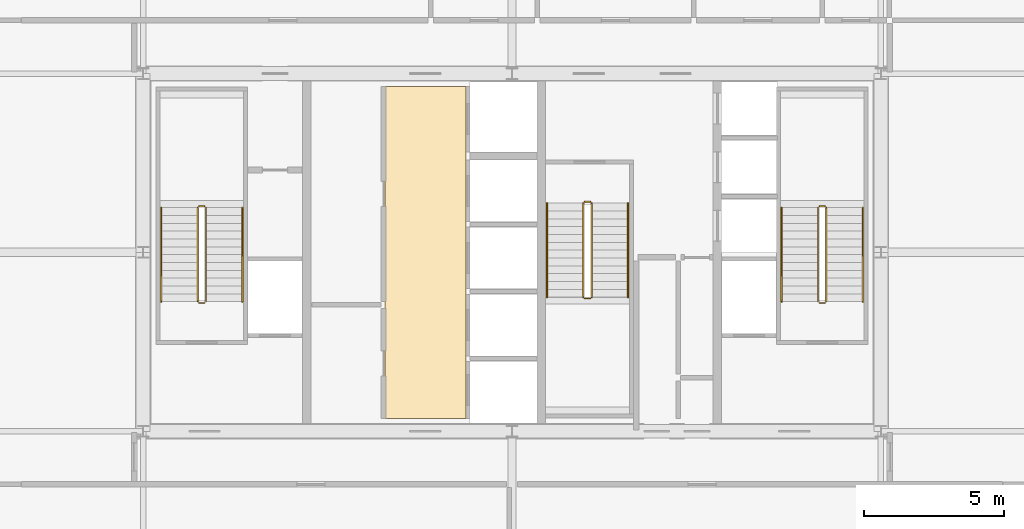
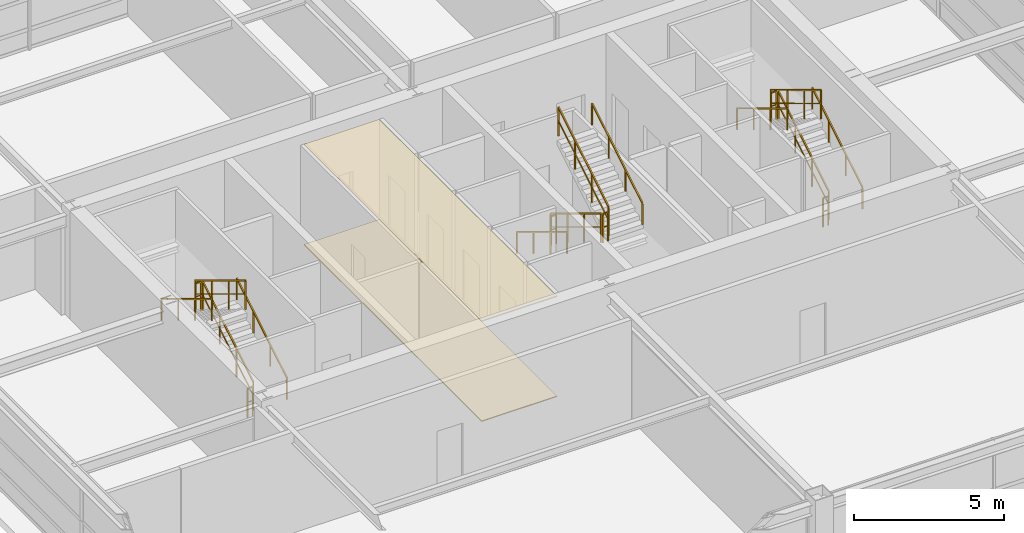
# One storey, part 26 of 26: 18 railings, 2 coverings.
"""IFC4 building model written with IfcOpenShell, lengths in metres."""

from ifc_helpers import new_model, si_unit, direction, frame, origin, origin_2d, place, context, subcontext, project, spatial, polyline, rectangle, outline, extrude, source, transform, mapped, material, layer, layer_set, type_object, element, save


model = new_model("IFC4")

# Units and contexts
model_context = context("Model", 3, precision=1e-05, world=origin(), true_north=direction((0.0, 1.0)))
body_context = subcontext(model_context, "Body", "Model", "MODEL_VIEW")
ifc_project = project(units=[si_unit("LENGTHUNIT", "METRE"), si_unit("AREAUNIT", "SQUARE_METRE"), si_unit("VOLUMEUNIT", "CUBIC_METRE"), si_unit("PLANEANGLEUNIT", "RADIAN"), si_unit("MASSUNIT", "GRAM", prefix="KILO"), si_unit("THERMODYNAMICTEMPERATUREUNIT", "KELVIN"), si_unit("POWERUNIT", "WATT")], contexts=[model_context])

# Site, building, storey
site_placement = place(None, origin())
site = spatial("IfcSite", under=ifc_project, at=site_placement, CompositionType="ELEMENT")
building_placement = place(site_placement, origin())
building = spatial("IfcBuilding", under=site, at=building_placement, Name="Yuzanri Waterfront Tower", CompositionType="ELEMENT")
storey_placement = place(building_placement, frame((0.0, 0.0, 259.10009765625)))
storey = spatial("IfcBuildingStorey", under=building, at=storey_placement, Name="L69", CompositionType="ELEMENT", Elevation=259.10009765625)

# Coverings
ifc_material_1 = material(Name="Anodized Architectural Bronze", Category="metal")
ifc_layer_1 = layer(ifc_material_1, 0.0400390625)
ifc_layer_set_1 = layer_set([ifc_layer_1], Name="Anodized Architectural Bronze")
covering_type_1 = type_object("IfcCoveringType", Name="Anodized Bronze Linear Baffle Lobby Ceiling 40", PredefinedType="CEILING", material=ifc_layer_set_1)
covering_1_placement = place(storey_placement, frame((0.0, 0.0, 4.079833984375)))
element("IfcCovering", 1, at=covering_1_placement, inside=storey, type_object=covering_type_1, Name="L69 Lift Lobby Bronze Baffle Ceiling", PredefinedType="CEILING", context=body_context, shape_type="SweptSolid", body=[
    extrude(outline(polyline([(32.449951171875, 19.860107421875), (35.35009765625, 19.860107421875), (35.35009765625, 31.739990234375), (32.449951171875, 31.739990234375), (32.449951171875, 19.860107421875)])), origin(), (0.0, 0.0, 1.0), 0.0400390625),
])
ifc_material_2 = material(Name="Honed Cream Limestone", Category="masonry")
ifc_layer_2 = layer(ifc_material_2, 0.034912109375)
ifc_layer_set_2 = layer_set([ifc_layer_2], Name="Honed Cream Limestone")
covering_type_2 = type_object("IfcCoveringType", Name="Honed Limestone Lobby Floor Finish 35", PredefinedType="FLOORING", material=ifc_layer_set_2)
covering_2_placement = place(storey_placement, origin())
element("IfcCovering", 2, at=covering_2_placement, inside=storey, type_object=covering_type_2, Name="L69 Lift Lobby Limestone Floor Finish", PredefinedType="FLOORING", context=body_context, shape_type="SweptSolid", body=[
    extrude(outline(polyline([(32.449951171875, 19.860107421875), (35.35009765625, 19.860107421875), (35.35009765625, 31.739990234375), (32.449951171875, 31.739990234375), (32.449951171875, 19.860107421875)])), origin(), (0.0, 0.0, 1.0), 0.034912109375),
])

# Railings
ifc_material_3 = material(Name="Painted Galvanized Fire Steel", Category="steel")
ifc_layer_3 = layer(ifc_material_3, 0.06005859375)
ifc_layer_set_3 = layer_set([ifc_layer_3], Name="Painted Galvanized Fire Steel")
railing_type_1 = type_object("IfcRailingType", Name="Painted Steel Stairwell Guardrail 1120", PredefinedType="GUARDRAIL", material=ifc_layer_set_3)
shared_shape_1 = source(origin(), body_context, "Body", "SweptSolid", [
    extrude(rectangle(XDim=0.050048828125, YDim=0.050048828125, at=origin_2d()), frame((0.0, 0.0, 1.1748046875), z_axis=(-1.0, 0.0, 0.0), x_axis=(0.0, -1.0, 0.0)), (0.0, 0.0, 1.0), 0.199951171875),
    extrude(rectangle(XDim=0.035888671875, YDim=0.030029296875, at=origin_2d()), frame((0.0, 0.0, 0.6240234375), z_axis=(-1.0, 0.0, 0.0), x_axis=(0.0, -1.0, 0.0)), (0.0, 0.0, 1.0), 0.199951171875),
    extrude(rectangle(XDim=0.0458984375, YDim=0.0458984375, at=origin_2d()), origin(), (0.0, 0.0, 1.0), 1.14990234375),
    extrude(rectangle(XDim=0.0458984375, YDim=0.0458984375, at=origin_2d()), frame((-0.199951171875, 0.0, 0.0)), (0.0, 0.0, 1.0), 1.14990234375),
])
for number, where, name in (
    (3, (26.0, 27.449951171875, 2.199951171875), "L69 ST-01 stair guard 2"),
    (4, (26.0, 23.989990234375, 0.0), "L69 ST-01 stair guard 4"),
    (5, (48.199951171875, 27.449951171875, 2.199951171875), "L69 ST-02 stair guard 2"),
    (6, (48.199951171875, 23.989990234375, 0.0), "L69 ST-02 stair guard 4"),
):
    element("IfcRailing", number, at=place(storey_placement, frame(where)), inside=storey, type_object=railing_type_1, Name=name, PredefinedType="GUARDRAIL", context=body_context, shape_type="MappedRepresentation", body=[
        mapped(shared_shape_1, transform((0.0, 0.0, 0.0), scale=1.0)),
    ])
shared_shape_2 = source(origin(), body_context, "Body", "SweptSolid", [
    extrude(rectangle(XDim=0.050048828125, YDim=0.050048828125, at=origin_2d()), frame((0.0, 0.0, 1.1748046875), z_axis=(0.0, 0.855820338506, 0.51727318527), x_axis=(-1.0, 0.0, 0.0)), (0.0, 0.0, 1.0), 3.92578125),
    extrude(rectangle(XDim=0.035888671875, YDim=0.030029296875, at=origin_2d()), frame((0.0, 0.0, 0.6240234375), z_axis=(0.0, 0.855820338506, 0.51727318527), x_axis=(-1.0, 0.0, 0.0)), (0.0, 0.0, 1.0), 3.92578125),
    extrude(rectangle(XDim=0.0458984375, YDim=0.0458984375, at=origin_2d()), origin(), (0.0, 0.0, 1.0), 1.14990234375),
    extrude(rectangle(XDim=0.0458984375, YDim=0.0458984375, at=origin_2d()), frame((0.0, 1.119873046875, 0.677001953125)), (0.0, 0.0, 1.0), 1.14990234375),
    extrude(rectangle(XDim=0.0458984375, YDim=0.0458984375, at=origin_2d()), frame((0.0, 2.239990234375, 1.353759765625)), (0.0, 0.0, 1.0), 1.14990234375),
    extrude(rectangle(XDim=0.0458984375, YDim=0.0458984375, at=origin_2d()), frame((0.0, 3.35986328125, 2.03076171875)), (0.0, 0.0, 1.0), 1.14990234375),
])
for number, where, name in (
    (7, (26.050048828125, 24.0400390625, 0.169189453125), "L69 ST-01 stair guard 1"),
    (8, (48.25, 24.0400390625, 0.169189453125), "L69 ST-02 stair guard 1"),
):
    element("IfcRailing", number, at=place(storey_placement, frame(where)), inside=storey, type_object=railing_type_1, Name=name, PredefinedType="GUARDRAIL", context=body_context, shape_type="MappedRepresentation", body=[
        mapped(shared_shape_2, transform((0.0, 0.0, 0.0), scale=1.0)),
    ])
shared_shape_3 = source(origin(), body_context, "Body", "SweptSolid", [
    extrude(rectangle(XDim=0.050048828125, YDim=0.050048828125, at=origin_2d()), frame((0.0, 0.0, 1.1748046875), z_axis=(0.0, -0.855820338506, 0.51727318527), x_axis=(1.0, 0.0, 0.0)), (0.0, 0.0, 1.0), 3.92578125),
    extrude(rectangle(XDim=0.035888671875, YDim=0.030029296875, at=origin_2d()), frame((0.0, 0.0, 0.6240234375), z_axis=(0.0, -0.855820338506, 0.51727318527), x_axis=(1.0, 0.0, 0.0)), (0.0, 0.0, 1.0), 3.92578125),
    extrude(rectangle(XDim=0.0458984375, YDim=0.0458984375, at=origin_2d()), origin(), (0.0, 0.0, 1.0), 1.14990234375),
    extrude(rectangle(XDim=0.0458984375, YDim=0.0458984375, at=origin_2d()), frame((0.0, -1.119873046875, 0.677001953125)), (0.0, 0.0, 1.0), 1.14990234375),
    extrude(rectangle(XDim=0.0458984375, YDim=0.0458984375, at=origin_2d()), frame((0.0, -2.239990234375, 1.353759765625)), (0.0, 0.0, 1.0), 1.14990234375),
    extrude(rectangle(XDim=0.0458984375, YDim=0.0458984375, at=origin_2d()), frame((0.0, -3.35986328125, 2.03076171875)), (0.0, 0.0, 1.0), 1.14990234375),
])
for number, where, name in (
    (9, (25.75, 27.39990234375, 2.369140625), "L69 ST-01 stair guard 3"),
    (10, (47.949951171875, 27.39990234375, 2.369140625), "L69 ST-02 stair guard 3"),
):
    element("IfcRailing", number, at=place(storey_placement, frame(where)), inside=storey, type_object=railing_type_1, Name=name, PredefinedType="GUARDRAIL", context=body_context, shape_type="MappedRepresentation", body=[
        mapped(shared_shape_3, transform((0.0, 0.0, 0.0), scale=1.0)),
    ])
ifc_material_4 = material(Name="Anodized Architectural Bronze", Category="metal")
ifc_layer_4 = layer(ifc_material_4, 0.050048828125)
ifc_layer_set_4 = layer_set([ifc_layer_4], Name="Anodized Architectural Bronze")
railing_type_2 = type_object("IfcRailingType", Name="Brushed Bronze Stair Pitch Handrail 920", PredefinedType="HANDRAIL", material=ifc_layer_set_4)
shared_shape_4 = source(origin(), body_context, "Body", "SweptSolid", [
    extrude(rectangle(XDim=0.050048828125, YDim=0.050048828125, at=origin_2d()), frame((0.0, 0.0, 0.875), z_axis=(0.0, 0.855820338506, 0.51727318527), x_axis=(-1.0, 0.0, 0.0)), (0.0, 0.0, 1.0), 3.92578125),
    extrude(rectangle(XDim=0.0458984375, YDim=0.0458984375, at=origin_2d()), origin(), (0.0, 0.0, 1.0), 0.849853515625),
    extrude(rectangle(XDim=0.0458984375, YDim=0.0458984375, at=origin_2d()), frame((0.0, 1.119873046875, 0.677001953125)), (0.0, 0.0, 1.0), 0.849853515625),
    extrude(rectangle(XDim=0.0458984375, YDim=0.0458984375, at=origin_2d()), frame((0.0, 2.239990234375, 1.353759765625)), (0.0, 0.0, 1.0), 0.849853515625),
    extrude(rectangle(XDim=0.0458984375, YDim=0.0458984375, at=origin_2d()), frame((0.0, 3.35986328125, 2.03076171875)), (0.0, 0.0, 1.0), 0.849853515625),
])
for number, where, name in (
    (11, (27.35009765625, 24.0400390625, 0.169189453125), "L69 ST-01 stair handrail 1"),
    (12, (49.550048828125, 24.0400390625, 0.169189453125), "L69 ST-02 stair handrail 1"),
):
    element("IfcRailing", number, at=place(storey_placement, frame(where)), inside=storey, type_object=railing_type_2, Name=name, PredefinedType="HANDRAIL", context=body_context, shape_type="MappedRepresentation", body=[
        mapped(shared_shape_4, transform((0.0, 0.0, 0.0), scale=1.0)),
    ])
shared_shape_5 = source(origin(), body_context, "Body", "SweptSolid", [
    extrude(rectangle(XDim=0.050048828125, YDim=0.050048828125, at=origin_2d()), frame((0.0, 0.0, 0.875), z_axis=(0.0, -0.855820338506, 0.51727318527), x_axis=(1.0, 0.0, 0.0)), (0.0, 0.0, 1.0), 3.92578125),
    extrude(rectangle(XDim=0.0458984375, YDim=0.0458984375, at=origin_2d()), origin(), (0.0, 0.0, 1.0), 0.849853515625),
    extrude(rectangle(XDim=0.0458984375, YDim=0.0458984375, at=origin_2d()), frame((0.0, -1.119873046875, 0.677001953125)), (0.0, 0.0, 1.0), 0.849853515625),
    extrude(rectangle(XDim=0.0458984375, YDim=0.0458984375, at=origin_2d()), frame((0.0, -2.239990234375, 1.353759765625)), (0.0, 0.0, 1.0), 0.849853515625),
    extrude(rectangle(XDim=0.0458984375, YDim=0.0458984375, at=origin_2d()), frame((0.0, -3.35986328125, 2.03076171875)), (0.0, 0.0, 1.0), 0.849853515625),
])
for number, where, name in (
    (13, (24.449951171875, 27.39990234375, 2.369140625), "L69 ST-01 stair handrail 2"),
    (14, (46.64990234375, 27.39990234375, 2.369140625), "L69 ST-02 stair handrail 2"),
):
    element("IfcRailing", number, at=place(storey_placement, frame(where)), inside=storey, type_object=railing_type_2, Name=name, PredefinedType="HANDRAIL", context=body_context, shape_type="MappedRepresentation", body=[
        mapped(shared_shape_5, transform((0.0, 0.0, 0.0), scale=1.0)),
    ])
shared_shape_6 = source(origin(), body_context, "Body", "SweptSolid", [
    extrude(rectangle(XDim=0.050048828125, YDim=0.050048828125, at=origin_2d()), frame((0.0, 0.0, 1.1748046875), z_axis=(1.0, 0.0, 0.0), x_axis=(0.0, 1.0, 0.0)), (0.0, 0.0, 1.0), 0.199951171875),
    extrude(rectangle(XDim=0.035888671875, YDim=0.030029296875, at=origin_2d()), frame((0.0, 0.0, 0.6240234375), z_axis=(1.0, 0.0, 0.0), x_axis=(0.0, 1.0, 0.0)), (0.0, 0.0, 1.0), 0.199951171875),
    extrude(rectangle(XDim=0.0458984375, YDim=0.0458984375, at=origin_2d()), origin(), (0.0, 0.0, 1.0), 1.14990234375),
    extrude(rectangle(XDim=0.0458984375, YDim=0.0458984375, at=origin_2d()), frame((0.199951171875, 0.0, 0.0)), (0.0, 0.0, 1.0), 1.14990234375),
])
for number, where, name in (
    (15, (39.60009765625, 24.14990234375, 2.199951171875), "L69 ST-03 stair guard 2"),
    (16, (39.60009765625, 27.610107421875, 0.0), "L69 ST-03 stair guard 4"),
):
    element("IfcRailing", number, at=place(storey_placement, frame(where)), inside=storey, type_object=railing_type_1, Name=name, PredefinedType="GUARDRAIL", context=body_context, shape_type="MappedRepresentation", body=[
        mapped(shared_shape_6, transform((0.0, 0.0, 0.0), scale=1.0)),
    ])
shared_shape_7 = source(origin(), body_context, "Body", "SweptSolid", [
    extrude(rectangle(XDim=0.050048828125, YDim=0.050048828125, at=origin_2d()), frame((0.0, 0.0, 1.1748046875), z_axis=(0.0, -0.855836976705, 0.517245656632), x_axis=(1.0, 0.0, 0.0)), (0.0, 0.0, 1.0), 3.926025390625),
    extrude(rectangle(XDim=0.035888671875, YDim=0.030029296875, at=origin_2d()), frame((0.0, 0.0, 0.6240234375), z_axis=(0.0, -0.855836976705, 0.517245656632), x_axis=(1.0, 0.0, 0.0)), (0.0, 0.0, 1.0), 3.926025390625),
    extrude(rectangle(XDim=0.0458984375, YDim=0.0458984375, at=origin_2d()), origin(), (0.0, 0.0, 1.0), 1.14990234375),
    extrude(rectangle(XDim=0.0458984375, YDim=0.0458984375, at=origin_2d()), frame((0.0, -1.1201171875, 0.677001953125)), (0.0, 0.0, 1.0), 1.14990234375),
    extrude(rectangle(XDim=0.0458984375, YDim=0.0458984375, at=origin_2d()), frame((0.0, -2.239990234375, 1.353759765625)), (0.0, 0.0, 1.0), 1.14990234375),
    extrude(rectangle(XDim=0.0458984375, YDim=0.0458984375, at=origin_2d()), frame((0.0, -3.360107421875, 2.03076171875)), (0.0, 0.0, 1.0), 1.14990234375),
])
railing_1_placement = place(storey_placement, frame((39.550048828125, 27.56005859375, 0.169189453125)))
element("IfcRailing", 17, at=railing_1_placement, inside=storey, type_object=railing_type_1, Name="L69 ST-03 stair guard 1", PredefinedType="GUARDRAIL", context=body_context, shape_type="MappedRepresentation", body=[
    mapped(shared_shape_7, transform((0.0, 0.0, 0.0), scale=1.0)),
])
shared_shape_8 = source(origin(), body_context, "Body", "SweptSolid", [
    extrude(rectangle(XDim=0.050048828125, YDim=0.050048828125, at=origin_2d()), frame((0.0, 0.0, 1.1748046875), z_axis=(0.0, 0.855836976705, 0.517245656632), x_axis=(-1.0, 0.0, 0.0)), (0.0, 0.0, 1.0), 3.926025390625),
    extrude(rectangle(XDim=0.035888671875, YDim=0.030029296875, at=origin_2d()), frame((0.0, 0.0, 0.6240234375), z_axis=(0.0, 0.855836976705, 0.517245656632), x_axis=(-1.0, 0.0, 0.0)), (0.0, 0.0, 1.0), 3.926025390625),
    extrude(rectangle(XDim=0.0458984375, YDim=0.0458984375, at=origin_2d()), origin(), (0.0, 0.0, 1.0), 1.14990234375),
    extrude(rectangle(XDim=0.0458984375, YDim=0.0458984375, at=origin_2d()), frame((0.0, 1.1201171875, 0.677001953125)), (0.0, 0.0, 1.0), 1.14990234375),
    extrude(rectangle(XDim=0.0458984375, YDim=0.0458984375, at=origin_2d()), frame((0.0, 2.239990234375, 1.353759765625)), (0.0, 0.0, 1.0), 1.14990234375),
    extrude(rectangle(XDim=0.0458984375, YDim=0.0458984375, at=origin_2d()), frame((0.0, 3.360107421875, 2.03076171875)), (0.0, 0.0, 1.0), 1.14990234375),
])
railing_2_placement = place(storey_placement, frame((39.85009765625, 24.199951171875, 2.369140625)))
element("IfcRailing", 18, at=railing_2_placement, inside=storey, type_object=railing_type_1, Name="L69 ST-03 stair guard 3", PredefinedType="GUARDRAIL", context=body_context, shape_type="MappedRepresentation", body=[
    mapped(shared_shape_8, transform((0.0, 0.0, 0.0), scale=1.0)),
])
shared_shape_9 = source(origin(), body_context, "Body", "SweptSolid", [
    extrude(rectangle(XDim=0.050048828125, YDim=0.050048828125, at=origin_2d()), frame((0.0, 0.0, 0.875), z_axis=(0.0, -0.855836976705, 0.517245656632), x_axis=(1.0, 0.0, 0.0)), (0.0, 0.0, 1.0), 3.926025390625),
    extrude(rectangle(XDim=0.0458984375, YDim=0.0458984375, at=origin_2d()), origin(), (0.0, 0.0, 1.0), 0.849853515625),
    extrude(rectangle(XDim=0.0458984375, YDim=0.0458984375, at=origin_2d()), frame((0.0, -1.1201171875, 0.677001953125)), (0.0, 0.0, 1.0), 0.849853515625),
    extrude(rectangle(XDim=0.0458984375, YDim=0.0458984375, at=origin_2d()), frame((0.0, -2.239990234375, 1.353759765625)), (0.0, 0.0, 1.0), 0.849853515625),
    extrude(rectangle(XDim=0.0458984375, YDim=0.0458984375, at=origin_2d()), frame((0.0, -3.360107421875, 2.03076171875)), (0.0, 0.0, 1.0), 0.849853515625),
])
railing_3_placement = place(storey_placement, frame((38.25, 27.56005859375, 0.169189453125)))
element("IfcRailing", 19, at=railing_3_placement, inside=storey, type_object=railing_type_2, Name="L69 ST-03 stair handrail 1", PredefinedType="HANDRAIL", context=body_context, shape_type="MappedRepresentation", body=[
    mapped(shared_shape_9, transform((0.0, 0.0, 0.0), scale=1.0)),
])
shared_shape_10 = source(origin(), body_context, "Body", "SweptSolid", [
    extrude(rectangle(XDim=0.050048828125, YDim=0.050048828125, at=origin_2d()), frame((0.0, 0.0, 0.875), z_axis=(0.0, 0.855836976705, 0.517245656632), x_axis=(-1.0, 0.0, 0.0)), (0.0, 0.0, 1.0), 3.926025390625),
    extrude(rectangle(XDim=0.0458984375, YDim=0.0458984375, at=origin_2d()), origin(), (0.0, 0.0, 1.0), 0.849853515625),
    extrude(rectangle(XDim=0.0458984375, YDim=0.0458984375, at=origin_2d()), frame((0.0, 1.1201171875, 0.677001953125)), (0.0, 0.0, 1.0), 0.849853515625),
    extrude(rectangle(XDim=0.0458984375, YDim=0.0458984375, at=origin_2d()), frame((0.0, 2.239990234375, 1.353759765625)), (0.0, 0.0, 1.0), 0.849853515625),
    extrude(rectangle(XDim=0.0458984375, YDim=0.0458984375, at=origin_2d()), frame((0.0, 3.360107421875, 2.03076171875)), (0.0, 0.0, 1.0), 0.849853515625),
])
railing_4_placement = place(storey_placement, frame((41.14990234375, 24.199951171875, 2.369140625)))
element("IfcRailing", 20, at=railing_4_placement, inside=storey, type_object=railing_type_2, Name="L69 ST-03 stair handrail 2", PredefinedType="HANDRAIL", context=body_context, shape_type="MappedRepresentation", body=[
    mapped(shared_shape_10, transform((0.0, 0.0, 0.0), scale=1.0)),
])

save(model, "model.ifc")
